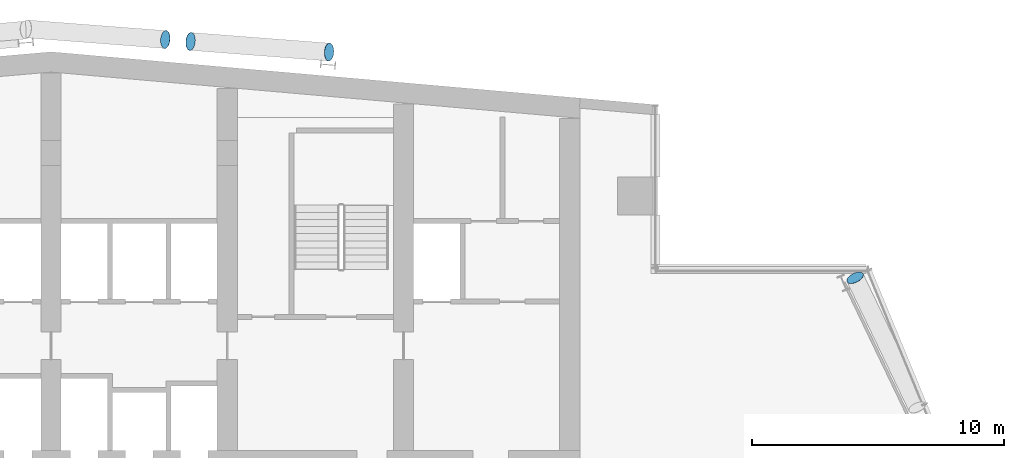
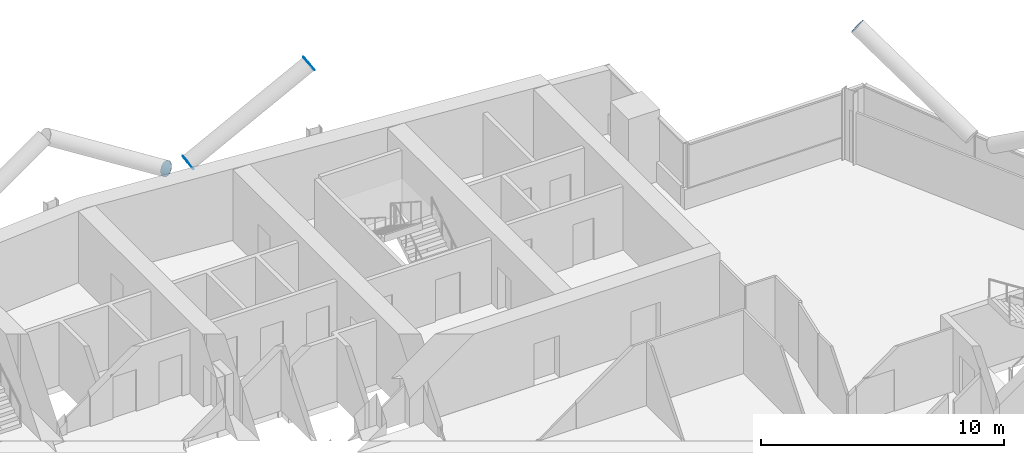
# One storey, part 22 of 26: 4 discrete accessories.
"""IFC4 building model written with IfcOpenShell, lengths in metres."""

from ifc_helpers import new_model, si_unit, direction, frame, origin, origin_2d, place, context, subcontext, project, spatial, circle, extrude, material, material_profile, profile_set, type_object, element, save


model = new_model("IFC4")

# Units and contexts
model_context = context("Model", 3, precision=1e-05, world=origin(), true_north=direction((0.0, 1.0)))
body_context = subcontext(model_context, "Body", "Model", "MODEL_VIEW")
ifc_project = project(units=[si_unit("LENGTHUNIT", "METRE"), si_unit("AREAUNIT", "SQUARE_METRE"), si_unit("VOLUMEUNIT", "CUBIC_METRE"), si_unit("PLANEANGLEUNIT", "RADIAN"), si_unit("MASSUNIT", "GRAM", prefix="KILO")], contexts=[model_context])

# Site, building, storey
site_placement = place(None, origin())
site = spatial("IfcSite", under=ifc_project, at=site_placement, CompositionType="ELEMENT")
building_placement = place(site_placement, origin())
building = spatial("IfcBuilding", under=site, at=building_placement, Name="Wharfspan Tower", CompositionType="ELEMENT")
storey_placement = place(building_placement, frame((0.0, 0.0, 180.699951)))
storey = spatial("IfcBuildingStorey", under=building, at=storey_placement, Name="L44", CompositionType="ELEMENT", Elevation=180.699951)

# Discrete accessories
ifc_material = material(Name="Steel S460NH", Category="steel")
ifc_material_profile = material_profile(ifc_material, circle(Radius=0.355469, at=origin_2d()))
ifc_profile_set = profile_set([ifc_material_profile], Name="Steel S460NH")
discrete_accessory_type = type_object("IfcDiscreteAccessoryType", Name="End plate CHS 711x36", PredefinedType="BRACKET", material=ifc_profile_set)
for number, where, z_axis, x_axis, name in (
    (1, (68.938721, 41.643066, 6.5), (-0.385682, 0.771364, 0.506208), (-0.894428, -0.447214, 0.0), "End plate CHS 711x36"),
    (2, (42.534668, 51.038086, 3.197998), (0.855186, -0.073302, 0.513112), (0.085402, 0.996345, -1e-06), "End plate CHS 711x36"),
    (3, (48.036865, 50.617676, 6.5), (0.856465, -0.048941, 0.513879), (0.05705, 0.998372, 0.0), "End plate CHS 711x36"),
    (4, (41.541992, 51.11377, 3.197998), (-0.855186, 0.073302, 0.513112), (-0.085402, -0.996345, -1e-06), "End plate CHS 711x36"),
):
    element("IfcDiscreteAccessory", number, at=place(storey_placement, frame(where, z_axis=z_axis, x_axis=x_axis)), inside=storey, type_object=discrete_accessory_type, Name=name, PredefinedType="BRACKET", context=body_context, shape_type="SweptSolid", body=[
        extrude(circle(Radius=0.355469, at=origin_2d()), origin(), (0.0, 0.0, 1.0), 0.01001),
    ])

save(model, "model.ifc")
